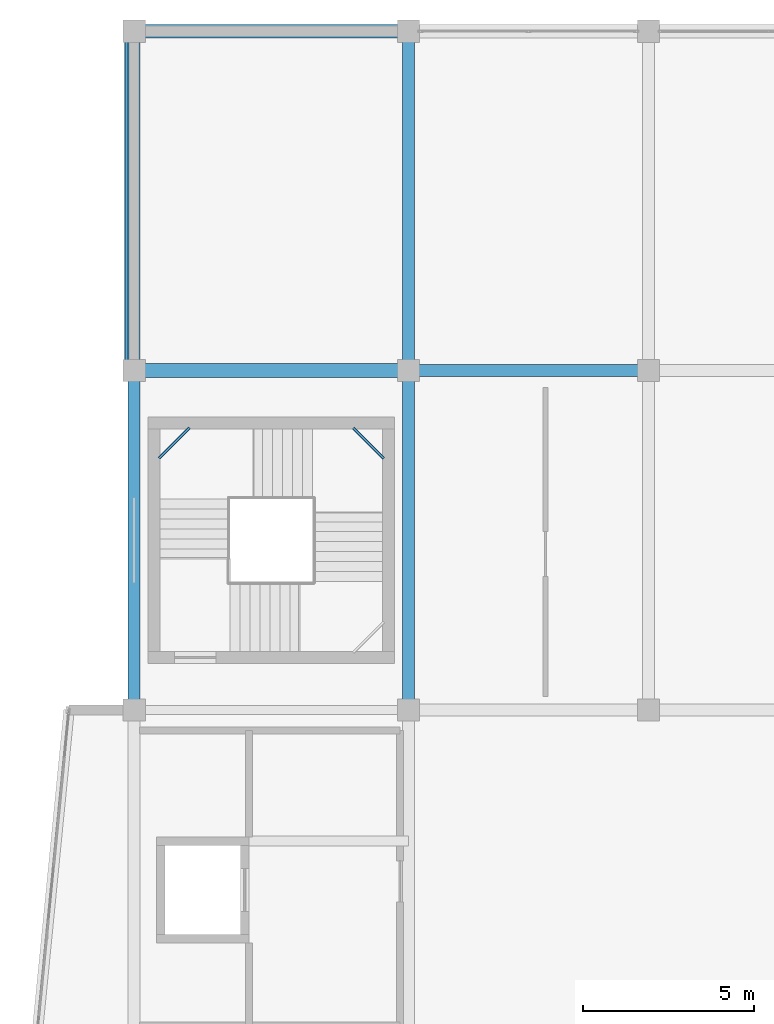
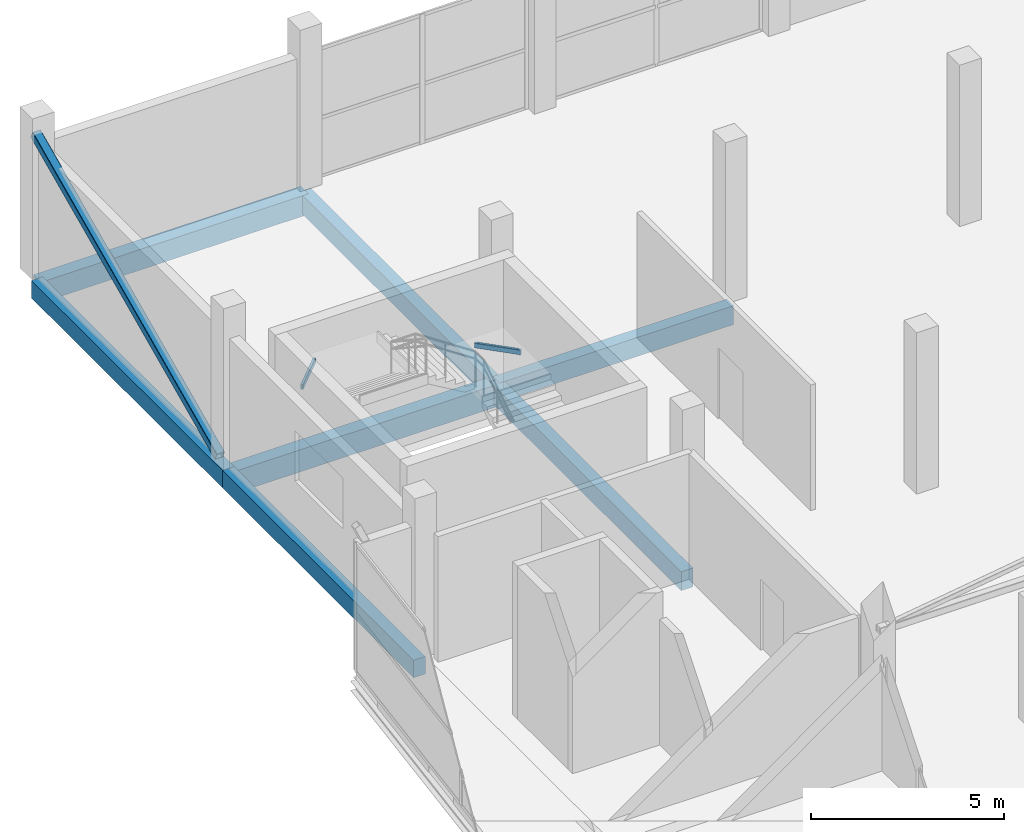
# One storey, part 36 of 58: 9 beams, 1 member.
"""IFC4 building model written with IfcOpenShell, lengths in metres."""

from ifc_helpers import new_model, si_unit, direction, frame, origin, origin_2d, place, context, subcontext, project, spatial, rectangle, hollow_rectangle, extrude, material, material_profile, profile_set, type_object, element, save


model = new_model("IFC4")

# Units and contexts
model_context = context("Model", 3, precision=1e-05, world=origin(), true_north=direction((0.0, 1.0)))
body_context = subcontext(model_context, "Body", "Model", "MODEL_VIEW")
ifc_project = project(units=[si_unit("LENGTHUNIT", "METRE"), si_unit("AREAUNIT", "SQUARE_METRE"), si_unit("VOLUMEUNIT", "CUBIC_METRE"), si_unit("PLANEANGLEUNIT", "RADIAN"), si_unit("MASSUNIT", "GRAM", prefix="KILO")], contexts=[model_context])

# Site, building, storey
site_placement = place(None, origin())
site = spatial("IfcSite", under=ifc_project, at=site_placement, CompositionType="ELEMENT")
building_placement = place(site_placement, origin())
building = spatial("IfcBuilding", under=site, at=building_placement, Name="Sillaruma Civic Art Gallery", CompositionType="ELEMENT")
storey_placement = place(building_placement, frame((0.0, 0.0, 52.02001953125)))
storey = spatial("IfcBuildingStorey", under=building, at=storey_placement, Name="L10", CompositionType="ELEMENT", Elevation=52.02001953125)

# Beams
ifc_material_1 = material(Name="Concrete H35 (35 MPa)", Category="concrete")
ifc_material_profile_1 = material_profile(ifc_material_1, rectangle(XDim=0.35009765625, YDim=0.60009765625, at=origin_2d()), Name="RCB350x600")
ifc_profile_set_1 = profile_set([ifc_material_profile_1], Name="Concrete H35 (35 MPa)")
beam_type_1 = type_object("IfcBeamType", Name="BM-BEAM-RCB350x600", PredefinedType="BEAM", material=ifc_profile_set_1)
beam_1_placement = place(storey_placement, frame((70.0, 89.10009765625, -0.550048828125), z_axis=(1.0, 0.0, 0.0), x_axis=(0.0, 1.0, 0.0)))
element("IfcBeam", 1, at=beam_1_placement, inside=storey, type_object=beam_type_1, Name="Beam BM-06 (L09:10:G-H)", PredefinedType="BEAM", context=body_context, shape_type="SweptSolid", body=[
    extrude(rectangle(XDim=0.35009765625, YDim=0.60009765625, at=origin_2d()), origin(), (0.0, 0.0, 1.0), 7.0),
])
beam_2_placement = place(storey_placement, frame((70.0, 79.199951171875, -0.550048828125), z_axis=(0.0, 1.0, 0.0), x_axis=(-1.0, 0.0, 0.0)))
element("IfcBeam", 2, at=beam_2_placement, inside=storey, type_object=beam_type_1, Name="Beam BM-06 (L09:G:9-10)", PredefinedType="BEAM", context=body_context, shape_type="SweptSolid", body=[
    extrude(rectangle(XDim=0.35009765625, YDim=0.60009765625, at=origin_2d()), origin(), (0.0, 0.0, 1.0), 9.900146484375),
])
beam_3_placement = place(storey_placement, frame((70.0, 89.10009765625, -0.550048828125), z_axis=(0.0, 1.0, 0.0), x_axis=(-1.0, 0.0, 0.0)))
element("IfcBeam", 3, at=beam_3_placement, inside=storey, type_object=beam_type_1, Name="Beam BM-06 (L09:G:10-11)", PredefinedType="BEAM", context=body_context, shape_type="SweptSolid", body=[
    extrude(rectangle(XDim=0.35009765625, YDim=0.60009765625, at=origin_2d()), origin(), (0.0, 0.0, 1.0), 9.89990234375),
])
ifc_material_profile_2 = material_profile(ifc_material_1, rectangle(XDim=0.39990234375, YDim=0.699951171875, at=origin_2d()), Name="RCB400x700")
ifc_profile_set_2 = profile_set([ifc_material_profile_2], Name="Concrete H35 (35 MPa)")
beam_type_2 = type_object("IfcBeamType", Name="BM-BEAM-RCB400x700", PredefinedType="BEAM", material=ifc_profile_set_2)
beam_4_placement = place(storey_placement, frame((62.0, 89.10009765625, -0.60009765625), z_axis=(1.0, 0.0, 0.0), x_axis=(0.0, 1.0, 0.0)))
element("IfcBeam", 4, at=beam_4_placement, inside=storey, type_object=beam_type_2, Name="Beam BM-04 (L09:10:F-G)", PredefinedType="BEAM", context=body_context, shape_type="SweptSolid", body=[
    extrude(rectangle(XDim=0.39990234375, YDim=0.699951171875, at=origin_2d()), origin(), (0.0, 0.0, 1.0), 8.0),
])
ifc_material_2 = material(Name="Structural Steel ASTM A500 Gr.C", Category="steel")
ifc_material_profile_3 = material_profile(ifc_material_2, hollow_rectangle(XDim=0.080078125, YDim=0.159912109375, WallThickness=0.008056640625, InnerFilletRadius=0.008056640625, OuterFilletRadius=0.01611328125, at=origin_2d()), Name="HSS160x80x8")
ifc_profile_set_3 = profile_set([ifc_material_profile_3], Name="Structural Steel ASTM A500 Gr.C")
beam_type_3 = type_object("IfcBeamType", Name="BM-LND-HSS160", PredefinedType="BEAM", material=ifc_profile_set_3)
for number, where, z_axis, x_axis, name in (
    (5, (68.389892578125, 87.429931640625, 2.43994140625), (0.707203758046, -0.707009791025, 0.0), (0.707009791025, 0.707203758046, 0.0), "Stair Corner Landing Trimmer Beam (ST-02-L10-2)"),
    (6, (62.719970703125, 86.5400390625, 3.6298828125), (0.707203758046, 0.707009791025, 0.0), (-0.707009791025, 0.707203758046, 0.0), "Stair Corner Landing Trimmer Beam (ST-02-L10-3)"),
):
    element("IfcBeam", number, at=place(storey_placement, frame(where, z_axis=z_axis, x_axis=x_axis)), inside=storey, type_object=beam_type_3, Name=name, PredefinedType="BEAM", context=body_context, shape_type="SweptSolid", body=[
        extrude(hollow_rectangle(XDim=0.080078125, YDim=0.159912109375, WallThickness=0.008056640625, InnerFilletRadius=0.008056640625, OuterFilletRadius=0.01611328125, at=origin_2d()), origin(), (0.0, 0.0, 1.0), 1.2587890625),
    ])
ifc_material_profile_4 = material_profile(ifc_material_1, rectangle(XDim=0.35009765625, YDim=0.550048828125, at=origin_2d()), Name="RCB350x550")
ifc_profile_set_4 = profile_set([ifc_material_profile_4], Name="Concrete H35 (35 MPa)")
beam_type_4 = type_object("IfcBeamType", Name="BM-SPANDREL-RCB350x550", PredefinedType="SPANDREL", material=ifc_profile_set_4)
beam_5_placement = place(storey_placement, frame((62.0, 79.199951171875, -0.52490234375), z_axis=(0.0, 1.0, 0.0), x_axis=(-1.0, 0.0, 0.0)))
element("IfcBeam", 7, at=beam_5_placement, inside=storey, type_object=beam_type_4, Name="Beam BS-04 (L09:F:9-10)", PredefinedType="SPANDREL", context=body_context, shape_type="SweptSolid", body=[
    extrude(rectangle(XDim=0.35009765625, YDim=0.550048828125, at=origin_2d()), origin(), (0.0, 0.0, 1.0), 9.900146484375),
])
beam_6_placement = place(storey_placement, frame((62.0, 89.10009765625, -0.52490234375), z_axis=(0.0, 1.0, 0.0), x_axis=(-1.0, 0.0, 0.0)))
element("IfcBeam", 8, at=beam_6_placement, inside=storey, type_object=beam_type_4, Name="Beam BS-04 (L09:F:10-11)", PredefinedType="SPANDREL", context=body_context, shape_type="SweptSolid", body=[
    extrude(rectangle(XDim=0.35009765625, YDim=0.550048828125, at=origin_2d()), origin(), (0.0, 0.0, 1.0), 9.89990234375),
])
ifc_material_profile_5 = material_profile(ifc_material_1, rectangle(XDim=0.39990234375, YDim=0.64990234375, at=origin_2d()), Name="RCB400x650")
ifc_profile_set_5 = profile_set([ifc_material_profile_5], Name="Concrete H35 (35 MPa)")
beam_type_5 = type_object("IfcBeamType", Name="BM-SPANDREL-RCB400x650", PredefinedType="SPANDREL", material=ifc_profile_set_5)
beam_7_placement = place(storey_placement, frame((62.0, 99.0, -0.574951171875), z_axis=(1.0, 0.0, 0.0), x_axis=(0.0, 1.0, 0.0)))
element("IfcBeam", 9, at=beam_7_placement, inside=storey, type_object=beam_type_5, Name="Beam BS-02 (L09:11:F-G)", PredefinedType="SPANDREL", context=body_context, shape_type="SweptSolid", body=[
    extrude(rectangle(XDim=0.39990234375, YDim=0.64990234375, at=origin_2d()), origin(), (0.0, 0.0, 1.0), 8.0),
])

# Member
ifc_material_profile_6 = material_profile(ifc_material_2, hollow_rectangle(XDim=0.25, YDim=0.25, WallThickness=0.012451171875, InnerFilletRadius=0.012451171875, OuterFilletRadius=0.02490234375, at=origin_2d()), Name="HSS250x250x12.5")
ifc_profile_set_6 = profile_set([ifc_material_profile_6], Name="Structural Steel ASTM A500 Gr.C")
member_type = type_object("IfcMemberType", Name="MEM-MEGA-BRACE", PredefinedType="BRACE", material=ifc_profile_set_6)
member_placement = place(storey_placement, frame((61.85009765625, 89.280029296875, 0.10009765625), z_axis=(0.0, 0.908074976581, 0.418807637116), x_axis=(-1.0, 0.0, 0.0)))
element("IfcMember", 10, at=member_placement, inside=storey, type_object=member_type, Name="Exterior Expressed Gallery Seismic Diagonal Brace (L10-WN)", PredefinedType="BRACE", context=body_context, shape_type="SweptSolid", body=[
    extrude(hollow_rectangle(XDim=0.25, YDim=0.25, WallThickness=0.012451171875, InnerFilletRadius=0.012451171875, OuterFilletRadius=0.02490234375, at=origin_2d()), origin(), (0.0, 0.0, 1.0), 10.505859375),
])

save(model, "model.ifc")
